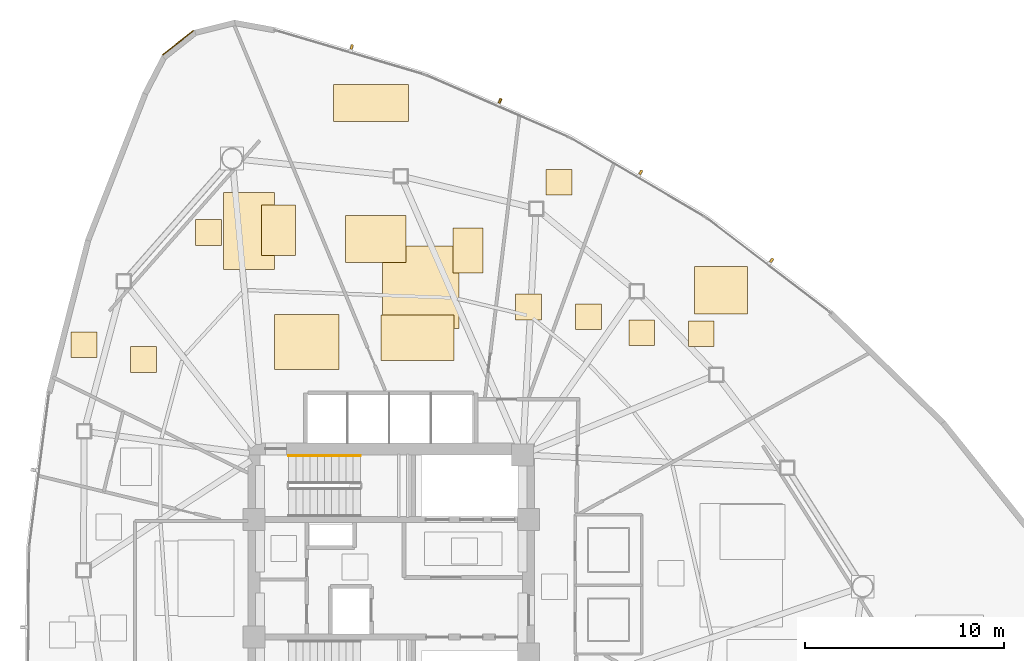
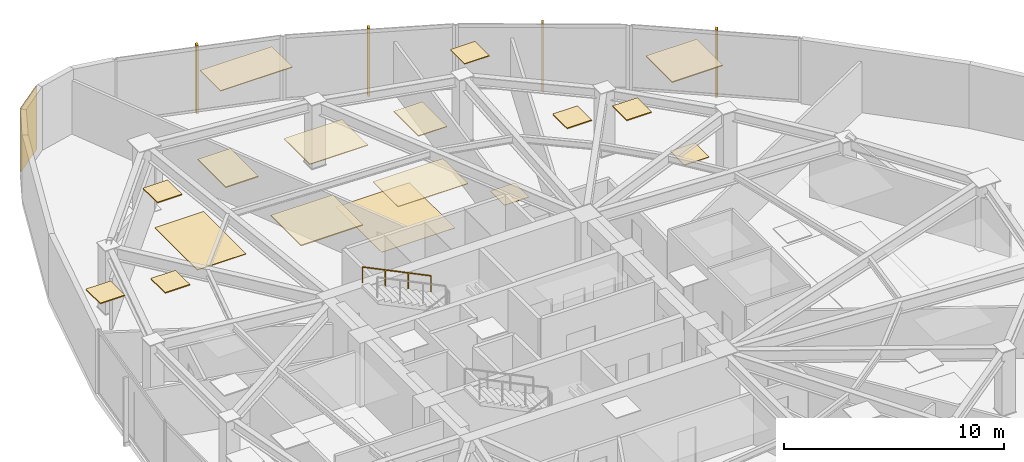
# One storey, part 17 of 17: 18 coverings, 4 shading devices, 1 railing.
"""IFC4 building model written with IfcOpenShell, lengths in metres."""

from ifc_helpers import new_model, si_unit, direction, frame, origin, origin_2d, place, context, subcontext, project, spatial, polyline, rectangle, outline, extrude, source, transform, mapped, material, layer, layer_set, type_object, type_shapes, element, save


model = new_model("IFC4")

# Units and contexts
model_context = context("Model", 3, precision=1e-05, world=origin(), true_north=direction((0.0, 1.0)))
body_context = subcontext(model_context, "Body", "Model", "MODEL_VIEW")
ifc_project = project(units=[si_unit("LENGTHUNIT", "METRE"), si_unit("AREAUNIT", "SQUARE_METRE"), si_unit("VOLUMEUNIT", "CUBIC_METRE"), si_unit("PLANEANGLEUNIT", "RADIAN"), si_unit("MASSUNIT", "GRAM", prefix="KILO")], contexts=[model_context])

# Site, building, storey
site_placement = place(None, origin())
site = spatial("IfcSite", under=ifc_project, at=site_placement, CompositionType="ELEMENT")
building_placement = place(site_placement, origin())
building = spatial("IfcBuilding", under=site, at=building_placement, Name="Tavelor Broadcast Tower", CompositionType="ELEMENT")
storey_placement = place(building_placement, frame((0.0, 0.0, 142.550048828125)))
storey = spatial("IfcBuildingStorey", under=building, at=storey_placement, Name="L33", CompositionType="ELEMENT", Elevation=142.550048828125)

# Covering
ifc_material_1 = material(Name="Copper-Bronze Anodized Aluminium", Category="aluminium")
ifc_layer_1 = layer(ifc_material_1, 0.050048828125)
ifc_layer_set_1 = layer_set([ifc_layer_1], Name="Copper-Bronze Anodized Aluminium")
covering_type_1 = type_object("IfcCoveringType", Name="Champagne-Bronze Corner Pier Metal Cladding 50 mm", PredefinedType="CLADDING", material=ifc_layer_set_1)
covering_1_placement = place(storey_placement, frame((39.29345703125, 71.89208984375, 0.02001953125), z_axis=(0.0, 0.0, 1.0), x_axis=(-0.785316930881, -0.61909394931, 0.0)))
element("IfcCovering", 1, at=covering_1_placement, inside=storey, type_object=covering_type_1, Name="L33 Champagne-Bronze Corner Cladding 03", PredefinedType="CLADDING", context=body_context, shape_type="SweptSolid", body=[
    extrude(rectangle(XDim=1.980712890625, YDim=0.050048828125, at=origin_2d()), origin(), (0.0, 0.0, 1.0), 3.510009765625),
])

# Railing
ifc_material_2 = material(Name="Steel S355", Category="steel")
railing_type = type_object("IfcRailingType", Name="Continuous Brushed Stainless Handrail 900 mm", PredefinedType="HANDRAIL", material=ifc_material_2)
railing_placement = place(storey_placement, frame((48.449951171875, 51.14990234375, 2.099853515625)))
element("IfcRailing", 2, at=railing_placement, inside=storey, type_object=railing_type, Name="L33 ST1 stair handrail 2", PredefinedType="HANDRAIL", context=body_context, shape_type="SweptSolid", body=[
    extrude(rectangle(XDim=0.048095703125, YDim=0.048095703125, at=origin_2d()), frame((0.0, 0.0, 0.8759765625), z_axis=(-0.899360859046, 0.0, 0.437207096483), x_axis=(0.0, -1.0, 0.0)), (0.0, 0.0, 1.0), 4.002685546875),
    extrude(rectangle(XDim=0.0419921875, YDim=0.0419921875, at=origin_2d()), origin(), (0.0, 0.0, 1.0), 0.851806640625),
    extrude(rectangle(XDim=0.0419921875, YDim=0.0419921875, at=origin_2d()), frame((-1.199951171875, 0.0, 0.583251953125)), (0.0, 0.0, 1.0), 0.851806640625),
    extrude(rectangle(XDim=0.0419921875, YDim=0.0419921875, at=origin_2d()), frame((-2.39990234375, 0.0, 1.166748046875)), (0.0, 0.0, 1.0), 0.851806640625),
    extrude(rectangle(XDim=0.0419921875, YDim=0.0419921875, at=origin_2d()), frame((-3.599853515625, 0.0, 1.75)), (0.0, 0.0, 1.0), 0.851806640625),
])

# Coverings
ifc_material_3 = material(Name="Acoustic Nylon Carpet Tile")
ifc_layer_2 = layer(ifc_material_3, 0.02001953125)
ifc_layer_set_2 = layer_set([ifc_layer_2], Name="Acoustic Nylon Carpet Tile")
covering_type_2 = type_object("IfcCoveringType", Name="Heavy-Duty Acoustic Broadcast Carpet Tile 20 mm", PredefinedType="FLOORING", material=ifc_layer_set_2)
covering_2_placement = place(storey_placement, origin())
element("IfcCovering", 3, at=covering_2_placement, inside=storey, type_object=covering_type_2, Name="L33 Broadcast Floor Finish 0474", PredefinedType="FLOORING", context=body_context, shape_type="SweptSolid", body=[
    extrude(outline(polyline([(49.55029296875, 57.54248046875), (53.4072265625, 57.54248046875), (53.4072265625, 61.69970703125), (49.55029296875, 61.69970703125), (49.55029296875, 57.54248046875)])), origin(), (0.0, 0.0, 1.0), 0.02001953125),
])
covering_3_placement = place(storey_placement, origin())
element("IfcCovering", 4, at=covering_3_placement, inside=storey, type_object=covering_type_2, Name="L33 Broadcast Floor Finish 0475", PredefinedType="FLOORING", context=body_context, shape_type="SweptSolid", body=[
    extrude(outline(polyline([(56.250244140625, 57.981689453125), (57.55029296875, 57.981689453125), (57.55029296875, 59.28173828125), (56.250244140625, 59.28173828125), (56.250244140625, 57.981689453125)])), origin(), (0.0, 0.0, 1.0), 0.02001953125),
])
ifc_material_4 = material(Name="Acoustic Hardwood Studio Flooring", Category="wood")
ifc_layer_3 = layer(ifc_material_4, 0.034912109375)
ifc_layer_set_3 = layer_set([ifc_layer_3], Name="Acoustic Hardwood Studio Flooring")
covering_type_3 = type_object("IfcCoveringType", Name="Isolated Studio Acoustic Elastomeric Floor Finish 35 mm", PredefinedType="FLOORING", material=ifc_layer_set_3)
covering_4_placement = place(storey_placement, origin())
element("IfcCovering", 5, at=covering_4_placement, inside=storey, type_object=covering_type_3, Name="L33 Broadcast Floor Finish 0473", PredefinedType="FLOORING", context=body_context, shape_type="SweptSolid", body=[
    extrude(outline(polyline([(41.58642578125, 60.51171875), (44.143310546875, 60.51171875), (44.143310546875, 64.379150390625), (41.58642578125, 64.379150390625), (41.58642578125, 60.51171875)])), origin(), (0.0, 0.0, 1.0), 0.034912109375),
])
covering_5_placement = place(storey_placement, origin())
element("IfcCovering", 6, at=covering_5_placement, inside=storey, type_object=covering_type_3, Name="L33 Broadcast Floor Finish 0476", PredefinedType="FLOORING", context=body_context, shape_type="SweptSolid", body=[
    extrude(outline(polyline([(64.920166015625, 56.6318359375), (66.22021484375, 56.6318359375), (66.22021484375, 57.931884765625), (64.920166015625, 57.931884765625), (64.920166015625, 56.6318359375)])), origin(), (0.0, 0.0, 1.0), 0.034912109375),
])
ifc_material_5 = material(Name="Acoustic Perforated Timber Baffle", Category="wood")
ifc_layer_4 = layer(ifc_material_5, 0.054931640625)
ifc_layer_set_4 = layer_set([ifc_layer_4], Name="Acoustic Perforated Timber Baffle")
covering_type_4 = type_object("IfcCoveringType", Name="Micro-Perforated Acoustic Baffle Studio Ceiling 55 mm", PredefinedType="CEILING", material=ifc_layer_set_4)
covering_6_placement = place(storey_placement, frame((0.0, 0.0, 3.494873046875)))
element("IfcCovering", 7, at=covering_6_placement, inside=storey, type_object=covering_type_4, Name="L33 Suspended Acoustic Ceiling 1362", PredefinedType="CEILING", context=body_context, shape_type="SweptSolid", body=[
    extrude(outline(polyline([(40.17724609375, 61.71240234375), (41.477294921875, 61.71240234375), (41.477294921875, 63.012451171875), (40.17724609375, 63.012451171875), (40.17724609375, 61.71240234375)])), origin(), (0.0, 0.0, 1.0), 0.05517578125),
])
covering_7_placement = place(storey_placement, frame((0.0, 0.0, 3.494873046875)))
element("IfcCovering", 8, at=covering_7_placement, inside=storey, type_object=covering_type_4, Name="L33 Suspended Acoustic Ceiling 1363", PredefinedType="CEILING", context=body_context, shape_type="SweptSolid", body=[
    extrude(outline(polyline([(43.477294921875, 61.205322265625), (45.19580078125, 61.205322265625), (45.19580078125, 63.75537109375), (43.477294921875, 63.75537109375), (43.477294921875, 61.205322265625)])), origin(), (0.0, 0.0, 1.0), 0.05517578125),
])
covering_8_placement = place(storey_placement, frame((0.0, 0.0, 3.494873046875)))
element("IfcCovering", 9, at=covering_8_placement, inside=storey, type_object=covering_type_4, Name="L33 Suspended Acoustic Ceiling 1364", PredefinedType="CEILING", context=body_context, shape_type="SweptSolid", body=[
    extrude(outline(polyline([(44.131103515625, 55.496826171875), (47.38525390625, 55.496826171875), (47.38525390625, 58.2451171875), (44.131103515625, 58.2451171875), (44.131103515625, 55.496826171875)])), origin(), (0.0, 0.0, 1.0), 0.05517578125),
])
covering_9_placement = place(storey_placement, frame((0.0, 0.0, 3.494873046875)))
element("IfcCovering", 10, at=covering_9_placement, inside=storey, type_object=covering_type_4, Name="L33 Suspended Acoustic Ceiling 1365", PredefinedType="CEILING", context=body_context, shape_type="SweptSolid", body=[
    extrude(outline(polyline([(36.904296875, 55.33349609375), (38.204345703125, 55.33349609375), (38.204345703125, 56.633544921875), (36.904296875, 56.633544921875), (36.904296875, 55.33349609375)])), origin(), (0.0, 0.0, 1.0), 0.05517578125),
])
covering_10_placement = place(storey_placement, frame((0.0, 0.0, 3.494873046875)))
element("IfcCovering", 11, at=covering_10_placement, inside=storey, type_object=covering_type_4, Name="L33 Suspended Acoustic Ceiling 1366", PredefinedType="CEILING", context=body_context, shape_type="SweptSolid", body=[
    extrude(outline(polyline([(33.9267578125, 56.078857421875), (35.226806640625, 56.078857421875), (35.226806640625, 57.37890625), (33.9267578125, 57.37890625), (33.9267578125, 56.078857421875)])), origin(), (0.0, 0.0, 1.0), 0.05517578125),
])
covering_11_placement = place(storey_placement, frame((0.0, 0.0, 3.494873046875)))
element("IfcCovering", 12, at=covering_11_placement, inside=storey, type_object=covering_type_4, Name="L33 Suspended Acoustic Ceiling 1372", PredefinedType="CEILING", context=body_context, shape_type="SweptSolid", body=[
    extrude(outline(polyline([(59.25732421875, 57.488037109375), (60.557373046875, 57.488037109375), (60.557373046875, 58.7880859375), (59.25732421875, 58.7880859375), (59.25732421875, 57.488037109375)])), origin(), (0.0, 0.0, 1.0), 0.05517578125),
])
covering_12_placement = place(storey_placement, frame((0.0, 0.0, 3.494873046875)))
element("IfcCovering", 13, at=covering_12_placement, inside=storey, type_object=covering_type_4, Name="L33 Suspended Acoustic Ceiling 1373", PredefinedType="CEILING", context=body_context, shape_type="SweptSolid", body=[
    extrude(outline(polyline([(65.234130859375, 58.277099609375), (67.89306640625, 58.277099609375), (67.89306640625, 60.658447265625), (65.234130859375, 60.658447265625), (65.234130859375, 58.277099609375)])), origin(), (0.0, 0.0, 1.0), 0.05517578125),
])
covering_13_placement = place(storey_placement, frame((0.0, 0.0, 3.494873046875)))
element("IfcCovering", 14, at=covering_13_placement, inside=storey, type_object=covering_type_4, Name="L33 Suspended Acoustic Ceiling 1374", PredefinedType="CEILING", context=body_context, shape_type="SweptSolid", body=[
    extrude(outline(polyline([(61.929931640625, 56.683837890625), (63.22998046875, 56.683837890625), (63.22998046875, 57.98388671875), (61.929931640625, 57.98388671875), (61.929931640625, 56.683837890625)])), origin(), (0.0, 0.0, 1.0), 0.05517578125),
])
ifc_material_6 = material(Name="Acoustic Mineral Fibre Tile")
ifc_layer_5 = layer(ifc_material_6, 0.0400390625)
ifc_layer_set_5 = layer_set([ifc_layer_5], Name="Acoustic Mineral Fibre Tile")
covering_type_5 = type_object("IfcCoveringType", Name="Suspended Acoustic Mineral-Fibre Office Ceiling 40 mm", PredefinedType="CEILING", material=ifc_layer_set_5)
covering_14_placement = place(storey_placement, frame((0.0, 0.0, 3.510009765625)))
element("IfcCovering", 15, at=covering_14_placement, inside=storey, type_object=covering_type_5, Name="L33 Suspended Acoustic Ceiling 1367", PredefinedType="CEILING", context=body_context, shape_type="SweptSolid", body=[
    extrude(outline(polyline([(47.095703125, 67.936767578125), (50.8671875, 67.936767578125), (50.8671875, 69.8076171875), (47.095703125, 69.8076171875), (47.095703125, 67.936767578125)])), origin(), (0.0, 0.0, 1.0), 0.0400390625),
])
covering_15_placement = place(storey_placement, frame((0.0, 0.0, 3.510009765625)))
element("IfcCovering", 16, at=covering_15_placement, inside=storey, type_object=covering_type_5, Name="L33 Suspended Acoustic Ceiling 1368", PredefinedType="CEILING", context=body_context, shape_type="SweptSolid", body=[
    extrude(outline(polyline([(53.09912109375, 60.337158203125), (54.60400390625, 60.337158203125), (54.60400390625, 62.590087890625), (53.09912109375, 62.590087890625), (53.09912109375, 60.337158203125)])), origin(), (0.0, 0.0, 1.0), 0.0400390625),
])
covering_16_placement = place(storey_placement, frame((0.0, 0.0, 3.510009765625)))
element("IfcCovering", 17, at=covering_16_placement, inside=storey, type_object=covering_type_5, Name="L33 Suspended Acoustic Ceiling 1369", PredefinedType="CEILING", context=body_context, shape_type="SweptSolid", body=[
    extrude(outline(polyline([(49.489013671875, 55.943359375), (53.163330078125, 55.943359375), (53.163330078125, 58.2314453125), (49.489013671875, 58.2314453125), (49.489013671875, 55.943359375)])), origin(), (0.0, 0.0, 1.0), 0.0400390625),
])
covering_17_placement = place(storey_placement, frame((0.0, 0.0, 3.510009765625)))
element("IfcCovering", 18, at=covering_17_placement, inside=storey, type_object=covering_type_5, Name="L33 Suspended Acoustic Ceiling 1370", PredefinedType="CEILING", context=body_context, shape_type="SweptSolid", body=[
    extrude(outline(polyline([(47.693115234375, 60.862060546875), (50.74560546875, 60.862060546875), (50.74560546875, 63.2138671875), (47.693115234375, 63.2138671875), (47.693115234375, 60.862060546875)])), origin(), (0.0, 0.0, 1.0), 0.0400390625),
])
covering_18_placement = place(storey_placement, frame((0.0, 0.0, 3.510009765625)))
element("IfcCovering", 19, at=covering_18_placement, inside=storey, type_object=covering_type_5, Name="L33 Suspended Acoustic Ceiling 1371", PredefinedType="CEILING", context=body_context, shape_type="SweptSolid", body=[
    extrude(outline(polyline([(57.771484375, 64.239013671875), (59.071533203125, 64.239013671875), (59.071533203125, 65.5390625), (57.771484375, 65.5390625), (57.771484375, 64.239013671875)])), origin(), (0.0, 0.0, 1.0), 0.0400390625),
])

# Shading devices
ifc_material_7 = material(Name="Kiln-Fired Glazed Terracotta", Category="masonry")
shading_device_type = type_object("IfcShadingDeviceType", Name="Extruded Terracotta Baguette Sun-Screen 110x240", PredefinedType="JALOUSIE", material=ifc_material_7)
shared_shape = source(origin(), body_context, "Body", "SweptSolid", [
    extrude(rectangle(XDim=0.110107421875, YDim=0.239990234375, at=origin_2d()), origin(), (0.0, 0.0, 1.0), 3.7900390625),
])
type_shapes(shading_device_type, [shared_shape])
for number, where, z_axis, x_axis, name in (
    (20, (69.10498046875, 60.969970703125, -0.260009765625), (0.0, 0.0, 1.0), (-0.794626586297, 0.60709849971, 0.0), "L33 Terracotta Baguette Fin 333"),
    (21, (62.527587890625, 65.3896484375, -0.260009765625), (0.0, 0.0, 1.0), (-0.862336977557, 0.506334807353, 0.0), "L33 Terracotta Baguette Fin 334"),
    (22, (55.464111328125, 68.98095703125, -0.260009765625), (0.0, 0.0, 1.0), (-0.917268733191, 0.398268842755, 0.0), "L33 Terracotta Baguette Fin 335"),
    (23, (48.017822265625, 71.69091796875, -0.260009765625), (0.0, 0.0, 1.0), (-0.958720536398, 0.28435001862, 0.0), "L33 Terracotta Baguette Fin 336"),
):
    element("IfcShadingDevice", number, at=place(storey_placement, frame(where, z_axis=z_axis, x_axis=x_axis)), inside=storey, type_object=shading_device_type, Name=name, PredefinedType="JALOUSIE", context=body_context, shape_type="MappedRepresentation", body=[
        mapped(shared_shape, transform((0.0, 0.0, 0.0), scale=1.0)),
    ])

save(model, "model.ifc")
